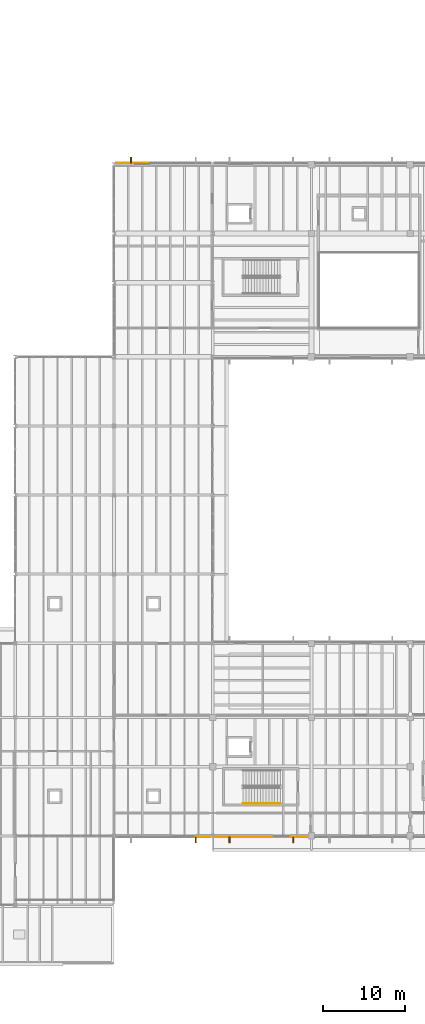
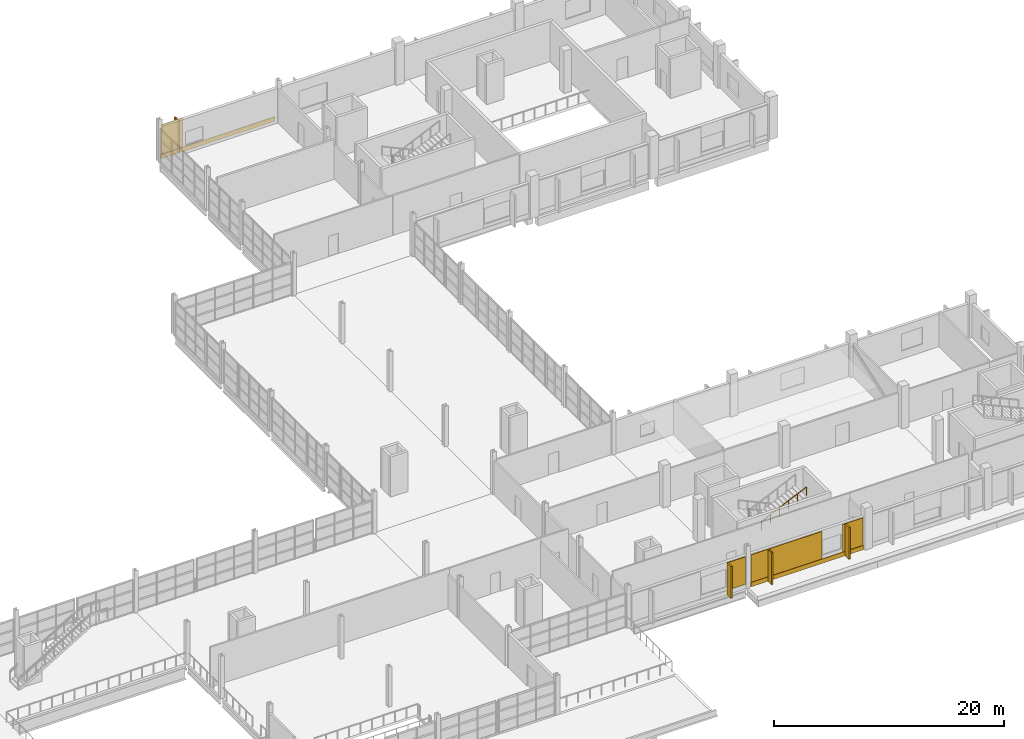
# One storey, part 110 of 114: 10 coverings, 4 shading devices, 1 railing.
"""IFC4 building model written with IfcOpenShell, lengths in metres."""

import ifcopenshell
import ifcopenshell.guid

model = None  # the IFC model being written
_history = None  # IfcOwnerHistory: only IFC2X3 demands one
_inside = {}  # id of a spatial element -> (the spatial element, [elements in it])
_under = {}  # id of a project, library or spatial element -> (it, [spatial elements below it])
_declared = {}  # id of a project -> (the project, [libraries it declares])
_typed = {}  # id of a type object -> (the type object, [elements of that type])
_made_of = {}  # id of a material, layer set ... -> (it, [elements and type objects made of it])


def new_model(schema):
    """Start an empty IFC model of exactly this schema.

    Asked for "IFC4X3", IfcOpenShell would pick the latest addendum, in which some entities
    have other attributes; the version numbers below select the first issue.
    IFC2X3 requires an IfcOwnerHistory on every rooted entity: one is made here for all.
    """
    global model, _history
    if schema == "IFC4X3":
        model = ifcopenshell.file(schema_version=(4, 3, 0, 0))
    else:
        model = ifcopenshell.file(schema=schema)
    _inside.clear()
    _under.clear()
    _declared.clear()
    _typed.clear()
    _made_of.clear()
    _history = None
    if model.schema == "IFC2X3":
        org = make("IfcOrganization", Name="unknown")
        user = make(
            "IfcPersonAndOrganization",
            ThePerson=make("IfcPerson", FamilyName="unknown"),
            TheOrganization=org,
        )
        app = make(
            "IfcApplication",
            ApplicationDeveloper=org,
            Version="unknown",
            ApplicationFullName="unknown",
            ApplicationIdentifier="unknown",
        )
        _history = make(
            "IfcOwnerHistory",
            OwningUser=user,
            OwningApplication=app,
            ChangeAction="ADDED",
            CreationDate=0,
        )
    return model


def make(cls, **values):
    """One entity of the class cls with the attributes given. An attribute that is None is left unset."""
    return model.create_entity(
        cls, **{name: value for name, value in values.items() if value is not None}
    )


def rooted(cls, **values):
    """An entity with a GlobalId (a new one), such as an element, a storey or a relation."""
    return make(cls, GlobalId=ifcopenshell.guid.new(), OwnerHistory=_history, **values)


def si_unit(unit_type, name, prefix=None):
    """IfcSIUnit, for example si_unit("LENGTHUNIT", "METRE", prefix="MILLI")."""
    return make("IfcSIUnit", UnitType=unit_type, Prefix=prefix, Name=name)


def assignment(units):
    """IfcUnitAssignment: the units of a project."""
    return None if units is None else make("IfcUnitAssignment", Units=units)


def point(xyz):
    """IfcCartesianPoint."""
    return None if xyz is None else make("IfcCartesianPoint", Coordinates=xyz)


def direction(xyz):
    """IfcDirection."""
    return None if xyz is None else make("IfcDirection", DirectionRatios=xyz)


def frame(location, z_axis=None, x_axis=None):
    """IfcAxis2Placement3D, a coordinate frame: its origin and axes. An axis left out is left unset."""
    return make(
        "IfcAxis2Placement3D",
        Location=point(location),
        Axis=direction(z_axis),
        RefDirection=direction(x_axis),
    )


def frame_2d(location, x_axis=None):
    """IfcAxis2Placement2D, a coordinate frame in the plane: its origin and x axis."""
    return make(
        "IfcAxis2Placement2D", Location=point(location), RefDirection=direction(x_axis)
    )


def origin():
    """The frame at (0, 0, 0) with its axes left unset."""
    return frame((0.0, 0.0, 0.0))


def origin_2d():
    """The frame at (0, 0) in the plane with its x axis left unset."""
    return frame_2d((0.0, 0.0))


def place(relative_to, where):
    """IfcLocalPlacement: puts the frame where relative to a parent placement (None: the world)."""
    return make(
        "IfcLocalPlacement", PlacementRelTo=relative_to, RelativePlacement=where
    )


def context(
    kind, dimensions, precision=None, world=None, true_north=None, identifier=None
):
    """IfcGeometricRepresentationContext, for example the 3D "Model" context."""
    return make(
        "IfcGeometricRepresentationContext",
        ContextIdentifier=identifier,
        ContextType=kind,
        CoordinateSpaceDimension=dimensions,
        Precision=precision,
        WorldCoordinateSystem=world,
        TrueNorth=true_north,
    )


def subcontext(parent, identifier, kind, view, scale=None):
    """IfcGeometricRepresentationSubContext, for example "Body" below "Model"."""
    return make(
        "IfcGeometricRepresentationSubContext",
        ContextIdentifier=identifier,
        ContextType=kind,
        ParentContext=parent,
        TargetScale=scale,
        TargetView=view,
    )


def project(units=None, contexts=None):
    """IfcProject with its units and contexts."""
    return rooted(
        "IfcProject",
        Name="project",
        RepresentationContexts=contexts,
        UnitsInContext=assignment(units),
    )


def spatial(cls, under=None, at=None, **own):
    """A site, building, storey or space (cls), placed at a placement, below another one or the project."""
    s = rooted(cls, ObjectPlacement=at, **own)
    if under is not None:
        _under.setdefault(under.id(), (under, []))[1].append(s)
    return s


def profile(cls, at=None, kind="AREA", **sizes):
    """A parametric profile (cls). Its sizes go by their IFC names, for example OverallWidth=200.0."""
    return make(cls, ProfileType=kind, Position=at, **sizes)


def rectangle(**sizes):
    """IfcRectangleProfileDef."""
    return profile("IfcRectangleProfileDef", **sizes)


def circle(**sizes):
    """IfcCircleProfileDef."""
    return profile("IfcCircleProfileDef", **sizes)


def extrude(swept, where, along, depth):
    """IfcExtrudedAreaSolid: the profile swept, set in the frame where, extruded along a direction by depth."""
    return make(
        "IfcExtrudedAreaSolid",
        SweptArea=swept,
        Position=where,
        ExtrudedDirection=direction(along),
        Depth=depth,
    )


def shape(context_of_items, identifier, shape_type, items):
    """IfcShapeRepresentation: the items that make up one representation, for example the "Body"."""
    return make(
        "IfcShapeRepresentation",
        ContextOfItems=context_of_items,
        RepresentationIdentifier=identifier,
        RepresentationType=shape_type,
        Items=items,
    )


def material(Name=None, Category=None):
    """IfcMaterial."""
    return make("IfcMaterial", Name=Name, Category=Category)


def layer(
    of_material, thickness, ventilated=None, Name=None, Category=None, Priority=None
):
    """IfcMaterialLayer: one layer of a wall or slab, of a material (None: an air gap)."""
    return make(
        "IfcMaterialLayer",
        Material=of_material,
        LayerThickness=thickness,
        IsVentilated=ventilated,
        Name=Name,
        Category=Category,
        Priority=Priority,
    )


def layer_set(layers, Name=None):
    """IfcMaterialLayerSet."""
    return make("IfcMaterialLayerSet", MaterialLayers=layers, LayerSetName=Name)


def made_of(thing, what):
    """Note that an element or type object is made of a material, layer set ...; save() writes the relation."""
    if what is not None:
        _made_of.setdefault(what.id(), (what, []))[1].append(thing)
    return thing


def type_object(cls, material=None, **own):
    """A type object (cls), such as IfcWallType, which elements share."""
    return made_of(rooted(cls, **own), material)


def element(
    cls,
    number,
    at=None,
    inside=None,
    cuts=None,
    type_object=None,
    material=None,
    context=None,
    identifier="Body",
    shape_type=None,
    held_by="IfcProductDefinitionShape",
    body=None,
    shapes=None,
    **own,
):
    """One element of the class cls, such as IfcWall. Its Tag is "e" and its number.

    at: its placement. inside: the storey or other place that contains it. cuts: it is an
    opening in that element (IfcRelVoidsElement). A single representation is given by context,
    identifier, shape_type and body (its items); several are given by shapes. held_by: the class
    of the entity that holds the representations. save() writes the other relations.
    """
    e = rooted(cls, Tag="e%d" % number, ObjectPlacement=at, **own)
    if body is not None:
        shapes = [shape(context, identifier, shape_type, body)]
    if shapes is not None:
        e.Representation = make(held_by, Representations=shapes)
    if inside is not None:
        _inside.setdefault(inside.id(), (inside, []))[1].append(e)
    if cuts is not None:
        rooted(
            "IfcRelVoidsElement", RelatingBuildingElement=cuts, RelatedOpeningElement=e
        )
    if type_object is not None:
        _typed.setdefault(type_object.id(), (type_object, []))[1].append(e)
    return made_of(e, material)


def aggregate(whole, parts):
    """IfcRelAggregates: a whole, such as a stair, and the parts it consists of."""
    return rooted("IfcRelAggregates", RelatingObject=whole, RelatedObjects=parts)


def save(model, path):
    """Write the relations noted so far, then the file.

    IfcRelAggregates (storeys below a building ...), IfcRelContainedInSpatialStructure (elements
    in a storey), IfcRelDefinesByType, IfcRelAssociatesMaterial and IfcRelDeclares: one each for
    every whole, place, type object, material and project.
    """
    for whole, parts in _under.values():
        aggregate(whole, parts)
    for where, things in _inside.values():
        rooted(
            "IfcRelContainedInSpatialStructure",
            RelatedElements=things,
            RelatingStructure=where,
        )
    for kind, things in _typed.values():
        rooted("IfcRelDefinesByType", RelatedObjects=things, RelatingType=kind)
    for what, things in _made_of.values():
        rooted("IfcRelAssociatesMaterial", RelatedObjects=things, RelatingMaterial=what)
    for by, libraries in _declared.values():
        rooted("IfcRelDeclares", RelatingContext=by, RelatedDefinitions=libraries)
    model.write(path)


model = new_model("IFC4")

# Units and contexts
model_context = context("Model", 3, precision=1e-05, world=origin(), true_north=direction((0.0, 1.0)))
body_context = subcontext(model_context, "Body", "Model", "MODEL_VIEW")
ifc_project = project(units=[si_unit("LENGTHUNIT", "METRE"), si_unit("AREAUNIT", "SQUARE_METRE"), si_unit("VOLUMEUNIT", "CUBIC_METRE"), si_unit("PLANEANGLEUNIT", "RADIAN"), si_unit("MASSUNIT", "GRAM", prefix="KILO")], contexts=[model_context])

# Site, building, storey
site_placement = place(None, origin())
site = spatial("IfcSite", under=ifc_project, at=site_placement, CompositionType="ELEMENT")
building_placement = place(site_placement, origin())
building = spatial("IfcBuilding", under=site, at=building_placement, Name="Kelmvaro Bay Concert Hall", CompositionType="ELEMENT")
storey_placement = place(building_placement, frame((0.0, 0.0, 4.800048828125)))
storey = spatial("IfcBuildingStorey", under=building, at=storey_placement, Name="L01", CompositionType="ELEMENT", Elevation=4.800048828125)

# Shading devices
ifc_material_1 = material(Name="Anodised Extruded Aluminium 6063-T6", Category="aluminium")
ifc_layer_1 = layer(ifc_material_1, 3.39990234375)
ifc_layer_set_1 = layer_set([ifc_layer_1], Name="Anodised Extruded Aluminium 6063-T6")
shading_device_type = type_object("IfcShadingDeviceType", Name="Bauhaus Vertical Solar Brise-Soleil Fin 720x3400", PredefinedType="SHUTTER", material=ifc_layer_set_1)
shading_device_placement = place(storey_placement, frame((122.056396484375, 97.716064453125, 0.06005859375), z_axis=(0.0, 0.0, 1.0), x_axis=(1.0, 0.0, 0.0)))
element("IfcShadingDevice", 1, at=shading_device_placement, inside=storey, type_object=shading_device_type, Name="L01 Solar Brise-Soleil Fin 051", PredefinedType="SHUTTER", context=body_context, shape_type="SweptSolid", body=[
    extrude(rectangle(XDim=0.159912109375, YDim=0.719970703125, at=origin_2d()), origin(), (0.0, 0.0, 1.0), 3.39990234375),
])
for number, where, z_axis, x_axis, name in (
    (2, (129.943603515625, 15.10400390625, 0.0595703125), (0.0, 0.0, 1.0), (-1.0, 0.0, 0.0), "L01 Solar Brise-Soleil Fin 130"),
    (3, (141.797119140625, 15.10400390625, 0.0595703125), (0.0, 0.0, 1.0), (-1.0, 0.0, 0.0), "L01 Solar Brise-Soleil Fin 132"),
    (4, (134.0283203125, 15.10400390625, 0.0595703125), (0.0, 0.0, 1.0), (-1.0, 0.0, 0.0), "L01 Solar Brise-Soleil Fin 133"),
):
    element("IfcShadingDevice", number, at=place(storey_placement, frame(where, z_axis=z_axis, x_axis=x_axis)), inside=storey, type_object=shading_device_type, Name=name, PredefinedType="SHUTTER", context=body_context, shape_type="SweptSolid", body=[
        extrude(rectangle(XDim=0.159912109375, YDim=0.719970703125, at=origin_2d()), origin(), (0.0, 0.0, 1.0), 3.386962890625),
    ])

# Coverings
ifc_material_2 = material(Name="PVDF-Coated Architectural Aluminium", Category="aluminium")
ifc_layer_2 = layer(ifc_material_2, 0.0400390625)
ifc_layer_set_2 = layer_set([ifc_layer_2], Name="PVDF-Coated Architectural Aluminium")
covering_type_1 = type_object("IfcCoveringType", Name="De Stijl Enamelled Aluminium Fascia Panel 40", PredefinedType="CLADDING", material=ifc_layer_set_2)
covering_1_placement = place(storey_placement, frame((122.056396484375, 97.716064453125, 0.06005859375), z_axis=(0.0, 0.0, 1.0), x_axis=(1.0, 0.0, 0.0)))
element("IfcCovering", 5, at=covering_1_placement, inside=storey, type_object=covering_type_1, Name="L01 Architectural Vertical Fin Cladding 0334", PredefinedType="CLADDING", context=body_context, shape_type="SweptSolid", body=[
    extrude(rectangle(XDim=0.139892578125, YDim=0.699951171875, at=origin_2d()), origin(), (0.0, 0.0, 1.0), 3.39990234375),
])
for number, where, z_axis, x_axis, name in (
    (6, (129.943603515625, 15.10400390625, 0.0595703125), (0.0, 0.0, 1.0), (-1.0, 0.0, 0.0), "L01 Architectural Vertical Fin Cladding 0701"),
    (7, (141.797119140625, 15.10400390625, 0.0595703125), (0.0, 0.0, 1.0), (-1.0, 0.0, 0.0), "L01 Architectural Vertical Fin Cladding 0706"),
    (8, (134.0283203125, 15.10400390625, 0.0595703125), (0.0, 0.0, 1.0), (-1.0, 0.0, 0.0), "L01 Architectural Vertical Fin Cladding 0707"),
):
    element("IfcCovering", number, at=place(storey_placement, frame(where, z_axis=z_axis, x_axis=x_axis)), inside=storey, type_object=covering_type_1, Name=name, PredefinedType="CLADDING", context=body_context, shape_type="SweptSolid", body=[
        extrude(rectangle(XDim=0.139892578125, YDim=0.699951171875, at=origin_2d()), origin(), (0.0, 0.0, 1.0), 3.386962890625),
    ])
ifc_material_3 = material(Name="Honed Florida Limestone Travertine", Category="masonry")
ifc_layer_3 = layer(ifc_material_3, 0.054931640625)
ifc_layer_set_3 = layer_set([ifc_layer_3], Name="Honed Florida Limestone Travertine")
covering_type_2 = type_object("IfcCoveringType", Name="Honed Florida Travertine Rainscreen Cladding 55", PredefinedType="CLADDING", material=ifc_layer_set_3)
covering_2_placement = place(storey_placement, frame((126.0, 97.385498046875, 0.0400390625), z_axis=(0.0, 0.0, 1.0), x_axis=(1.0, 0.0, 0.0)))
element("IfcCovering", 9, at=covering_2_placement, inside=storey, type_object=covering_type_2, Name="L01 Travertine Sill Band 0333", PredefinedType="CLADDING", context=body_context, shape_type="SweptSolid", body=[
    extrude(rectangle(XDim=11.47900390625, YDim=0.054931640625, at=origin_2d()), origin(), (0.0, 0.0, 1.0), 0.4599609375),
])
covering_3_placement = place(storey_placement, frame((121.376953125, 97.385498046875, 0.52001953125), z_axis=(0.0, 0.0, 1.0), x_axis=(1.0, 0.0, 0.0)))
element("IfcCovering", 10, at=covering_3_placement, inside=storey, type_object=covering_type_2, Name="L01 Travertine Pier Panel 0336", PredefinedType="CLADDING", context=body_context, shape_type="SweptSolid", body=[
    extrude(rectangle(XDim=2.193115234375, YDim=0.054931640625, at=origin_2d()), origin(), (0.0, 0.0, 1.0), 3.10400390625),
])
covering_4_placement = place(storey_placement, frame((130.810791015625, 15.4345703125, 0.52001953125), z_axis=(0.0, 0.0, 1.0), x_axis=(-1.0, 0.0, 0.0)))
element("IfcCovering", 11, at=covering_4_placement, inside=storey, type_object=covering_type_2, Name="L01 Travertine Pier Panel 0703", PredefinedType="CLADDING", context=body_context, shape_type="SweptSolid", body=[
    extrude(rectangle(XDim=1.818115234375, YDim=0.054931640625, at=origin_2d()), origin(), (0.0, 0.0, 1.0), 2.927001953125),
])
covering_5_placement = place(storey_placement, frame((137.912841796875, 15.4345703125, 0.0400390625), z_axis=(0.0, 0.0, 1.0), x_axis=(-1.0, 0.0, 0.0)))
element("IfcCovering", 12, at=covering_5_placement, inside=storey, type_object=covering_type_2, Name="L01 Travertine Sill Band 0705", PredefinedType="CLADDING", context=body_context, shape_type="SweptSolid", body=[
    extrude(rectangle(XDim=11.304931640625, YDim=0.054931640625, at=origin_2d()), origin(), (0.0, 0.0, 1.0), 0.4599609375),
])
covering_6_placement = place(storey_placement, frame((142.510498046875, 15.4345703125, 0.52001953125), z_axis=(0.0, 0.0, 1.0), x_axis=(-1.0, 0.0, 0.0)))
element("IfcCovering", 13, at=covering_6_placement, inside=storey, type_object=covering_type_2, Name="L01 Travertine Pier Panel 0708", PredefinedType="CLADDING", context=body_context, shape_type="SweptSolid", body=[
    extrude(rectangle(XDim=2.069091796875, YDim=0.054931640625, at=origin_2d()), origin(), (0.0, 0.0, 1.0), 2.927001953125),
])
covering_7_placement = place(storey_placement, frame((135.828369140625, 15.4345703125, 0.52001953125), z_axis=(0.0, 0.0, 1.0), x_axis=(-1.0, 0.0, 0.0)))
element("IfcCovering", 14, at=covering_7_placement, inside=storey, type_object=covering_type_2, Name="L01 Travertine Pier Panel 0709", PredefinedType="CLADDING", context=body_context, shape_type="SweptSolid", body=[
    extrude(rectangle(XDim=7.095947265625, YDim=0.054931640625, at=origin_2d()), origin(), (0.0, 0.0, 1.0), 2.927001953125),
])

# Railing
ifc_material_4 = material(Name="Brushed Stainless Steel 316", Category="steel")
railing_type = type_object("IfcRailingType", Name="Stair Stainless Wall Handrail 900", PredefinedType="HANDRAIL", material=ifc_material_4)
railing_placement = place(storey_placement, frame((135.696044921875, 19.5400390625, 2.41064453125)))
element("IfcRailing", 15, at=railing_placement, inside=storey, type_object=railing_type, Name="L01 ST-05 stair handrail 2", PredefinedType="HANDRAIL", context=body_context, shape_type="SweptSolid", body=[
    extrude(circle(Radius=0.02392578125, at=origin_2d()), frame((0.0, 0.0, 0.8759765625), z_axis=(0.907853242209, 0.0, 0.419288075922), x_axis=(0.0, 1.0, 0.0)), (0.0, 0.0, 1.0), 4.983154296875),
    extrude(circle(Radius=0.02099609375, at=origin_2d()), origin(), (0.0, 0.0, 1.0), 0.851806640625),
    extrude(circle(Radius=0.02099609375, at=origin_2d()), frame((0.90478515625, 0.0, 0.41796875)), (0.0, 0.0, 1.0), 0.851806640625),
    extrude(circle(Radius=0.02099609375, at=origin_2d()), frame((1.8095703125, 0.0, 0.835693359375)), (0.0, 0.0, 1.0), 0.851806640625),
    extrude(circle(Radius=0.02099609375, at=origin_2d()), frame((2.71435546875, 0.0, 1.253662109375)), (0.0, 0.0, 1.0), 0.851806640625),
    extrude(circle(Radius=0.02099609375, at=origin_2d()), frame((3.619140625, 0.0, 1.67138671875)), (0.0, 0.0, 1.0), 0.851806640625),
    extrude(circle(Radius=0.02099609375, at=origin_2d()), frame((4.52392578125, 0.0, 2.08935546875)), (0.0, 0.0, 1.0), 0.851806640625),
])

save(model, "model.ifc")
